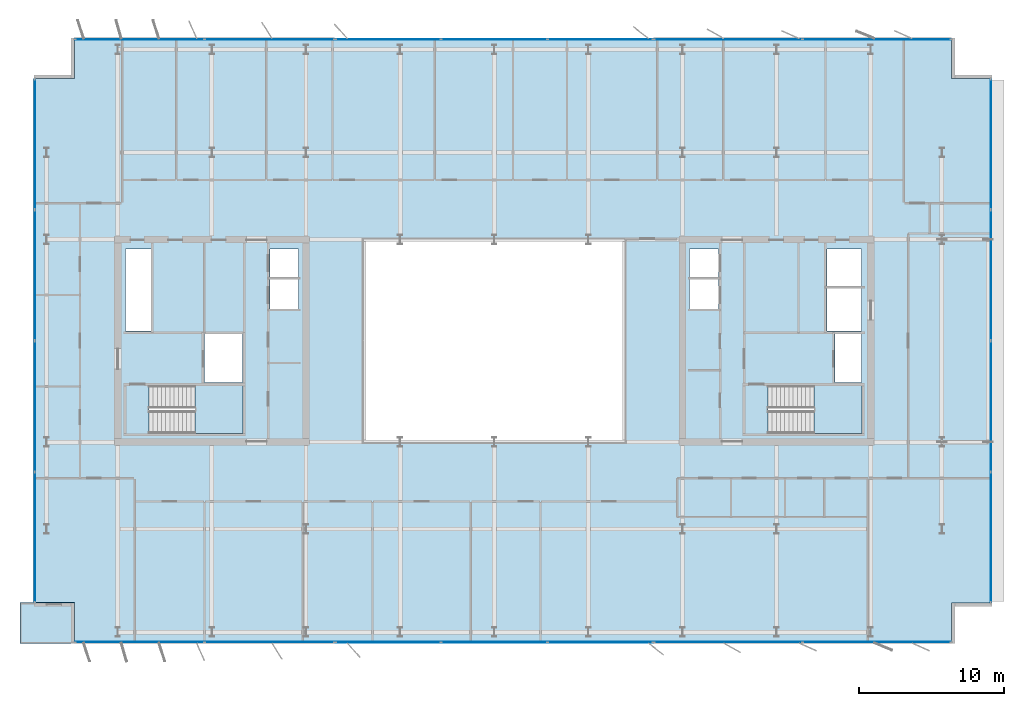
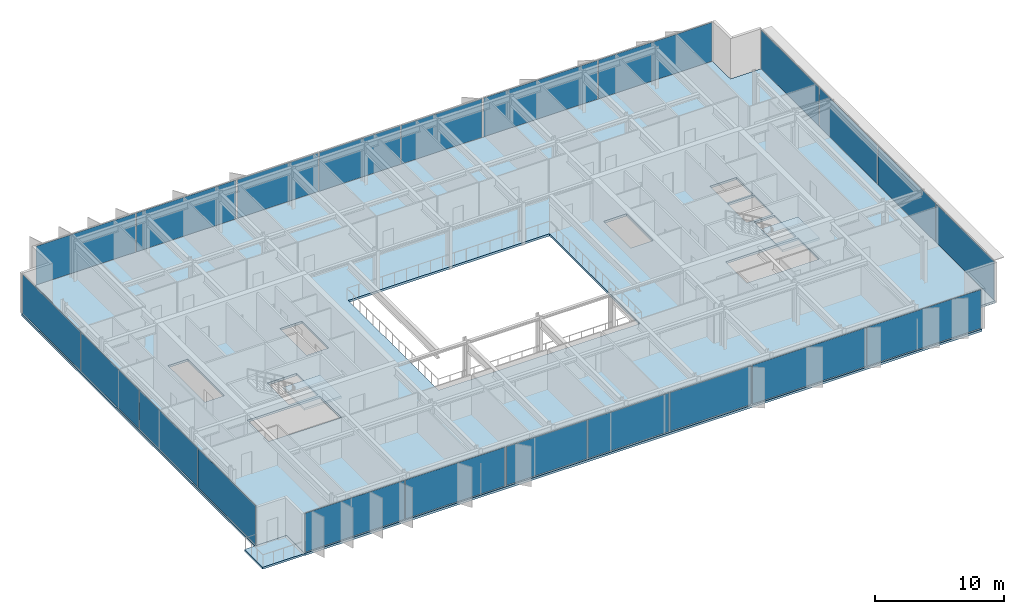
# One storey, part 11 of 20: 22 plates, 4 slabs, 10 elements without a shape of their own.
"""IFC4 building model written with IfcOpenShell, lengths in metres."""

from ifc_helpers import new_model, si_unit, direction, frame, origin, origin_2d, place, context, subcontext, project, spatial, polyline, rectangle, outline, extrude, material, layer, layer_set, type_object, element, aggregate, save


model = new_model("IFC4")

# Units and contexts
model_context = context("Model", 3, precision=1e-05, world=origin(), true_north=direction((0.0, 1.0)))
body_context = subcontext(model_context, "Body", "Model", "MODEL_VIEW")
ifc_project = project(units=[si_unit("LENGTHUNIT", "METRE"), si_unit("AREAUNIT", "SQUARE_METRE"), si_unit("VOLUMEUNIT", "CUBIC_METRE"), si_unit("PLANEANGLEUNIT", "RADIAN"), si_unit("MASSUNIT", "GRAM", prefix="KILO")], contexts=[model_context])

# Site, building, storey
site_placement = place(None, origin())
site = spatial("IfcSite", under=ifc_project, at=site_placement, CompositionType="ELEMENT")
building_placement = place(site_placement, origin())
building = spatial("IfcBuilding", under=site, at=building_placement, Name="Putna Gate Headquarters", CompositionType="ELEMENT")
storey_placement = place(building_placement, frame((0.0, 0.0, 290.39990234375)))
storey = spatial("IfcBuildingStorey", under=building, at=storey_placement, Name="L73", CompositionType="ELEMENT", Elevation=290.39990234375)

# Stair, slab
ifc_material_1 = material(Name="Concrete C40/50", Category="concrete")
stair_type_1 = type_object("IfcStairType", Name="STAIR-ST1", PredefinedType="HALF_TURN_STAIR", material=ifc_material_1)
stair_1_placement = place(storey_placement, origin())
stair_1 = element("IfcStair", 1, at=stair_1_placement, inside=storey, type_object=stair_type_1, Name="L73 West Core Exit Stair ST1", PredefinedType="HALF_TURN_STAIR")
ifc_layer_1 = layer(ifc_material_1, 0.199951171875)
ifc_layer_set_1 = layer_set([ifc_layer_1], Name="Concrete C40/50")
slab_type_1 = type_object("IfcSlabType", Name="LANDING-ST1", PredefinedType="LANDING", material=ifc_layer_set_1)
slab_1_placement = place(storey_placement, frame((0.0, 0.0, 1.800048828125)))
slab_1 = element("IfcSlab", 2, at=slab_1_placement, type_object=slab_type_1, Name="ST1 landing 1", PredefinedType="LANDING", context=body_context, shape_type="SweptSolid", body=[
    extrude(outline(polyline([(18.340087890625, 19.60009765625), (21.64990234375, 19.60009765625), (21.64990234375, 22.89990234375), (18.340087890625, 22.89990234375), (18.340087890625, 19.60009765625)])), origin(), (0.0, 0.0, 1.0), 0.199951171875),
])
aggregate(stair_1, [slab_1])

stair_type_2 = type_object("IfcStairType", Name="STAIR-ST2", PredefinedType="HALF_TURN_STAIR", material=ifc_material_1)
stair_2_placement = place(storey_placement, origin())
stair_2 = element("IfcStair", 3, at=stair_2_placement, inside=storey, type_object=stair_type_2, Name="L73 East Core Exit Stair ST2", PredefinedType="HALF_TURN_STAIR")
ifc_layer_2 = layer(ifc_material_1, 0.199951171875)
ifc_layer_set_2 = layer_set([ifc_layer_2], Name="Concrete C40/50")
slab_type_2 = type_object("IfcSlabType", Name="LANDING-ST2", PredefinedType="LANDING", material=ifc_layer_set_2)
slab_2_placement = place(storey_placement, frame((0.0, 0.0, 1.800048828125)))
slab_2 = element("IfcSlab", 4, at=slab_2_placement, type_object=slab_type_2, Name="ST2 landing 1", PredefinedType="LANDING", context=body_context, shape_type="SweptSolid", body=[
    extrude(outline(polyline([(61.090087890625, 19.60009765625), (64.39990234375, 19.60009765625), (64.39990234375, 22.89990234375), (61.090087890625, 22.89990234375), (61.090087890625, 19.60009765625)])), origin(), (0.0, 0.0, 1.0), 0.199951171875),
])
aggregate(stair_2, [slab_2])

# Curtain wall, plates
ifc_material_2 = material(Name="Anodised bronze aluminium curtain wall", Category="aluminium")
ifc_layer_3 = layer(ifc_material_2, 0.179931640625)
ifc_layer_set_3 = layer_set([ifc_layer_3], Name="Anodised bronze aluminium curtain wall")
curtain_wall_type_1 = type_object("IfcCurtainWallType", Name="CW-SYS-Z5", PredefinedType="USERDEFINED", material=ifc_layer_set_3)
curtain_wall_1_placement = place(storey_placement, origin())
curtain_wall_1 = element("IfcCurtainWall", 5, at=curtain_wall_1_placement, inside=storey, type_object=curtain_wall_type_1, Name="L73 South West Curtain Wall", ObjectType="STICK CURTAIN WALL", PredefinedType="USERDEFINED")
ifc_material_3 = material(Name="Solar-control triple low-E glass", Category="glass")
ifc_layer_4 = layer(ifc_material_3, 0.033935546875)
ifc_layer_set_4 = layer_set([ifc_layer_4], Name="Solar-control triple low-E glass")
plate_type_1 = type_object("IfcPlateType", Name="PAN-CWP-5", PredefinedType="CURTAIN_PANEL", material=ifc_layer_set_4)
plate_1_placement = place(storey_placement, frame((14.517578125, 5.179931640625, 0.06005859375), z_axis=(0.0, 0.0, 1.0), x_axis=(1.0, 0.0, 0.0)))
plate_1 = element("IfcPlate", 6, at=plate_1_placement, type_object=plate_type_1, Name="CWS-5 panel 1.1", PredefinedType="CURTAIN_PANEL", context=body_context, shape_type="SweptSolid", body=[
    extrude(rectangle(XDim=8.89501953125, YDim=0.033935546875, at=origin_2d()), origin(), (0.0, 0.0, 1.0), 3.66796875),
])
plate_2_placement = place(storey_placement, frame((23.482421875, 5.179931640625, 0.06005859375), z_axis=(0.0, 0.0, 1.0), x_axis=(1.0, 0.0, 0.0)))
plate_2 = element("IfcPlate", 7, at=plate_2_placement, type_object=plate_type_1, Name="CWS-5 panel 2.1", PredefinedType="CURTAIN_PANEL", context=body_context, shape_type="SweptSolid", body=[
    extrude(rectangle(XDim=8.89501953125, YDim=0.033935546875, at=origin_2d()), origin(), (0.0, 0.0, 1.0), 3.66796875),
])
aggregate(curtain_wall_1, [plate_1, plate_2])

curtain_wall_2_placement = place(storey_placement, origin())
curtain_wall_2 = element("IfcCurtainWall", 8, at=curtain_wall_2_placement, inside=storey, type_object=curtain_wall_type_1, Name="L73 South East Curtain Wall", ObjectType="STICK CURTAIN WALL", PredefinedType="USERDEFINED")
plate_3_placement = place(storey_placement, frame((55.164306640625, 5.179931640625, 0.06005859375), z_axis=(0.0, 0.0, 1.0), x_axis=(1.0, 0.0, 0.0)))
plate_3 = element("IfcPlate", 9, at=plate_3_placement, type_object=plate_type_1, Name="CWS-5 panel 1.1", PredefinedType="CURTAIN_PANEL", context=body_context, shape_type="SweptSolid", body=[
    extrude(rectangle(XDim=10.188720703125, YDim=0.033935546875, at=origin_2d()), origin(), (0.0, 0.0, 1.0), 3.66796875),
])
plate_4_placement = place(storey_placement, frame((65.423095703125, 5.179931640625, 0.06005859375), z_axis=(0.0, 0.0, 1.0), x_axis=(1.0, 0.0, 0.0)))
plate_4 = element("IfcPlate", 10, at=plate_4_placement, type_object=plate_type_1, Name="CWS-5 panel 2.1", PredefinedType="CURTAIN_PANEL", context=body_context, shape_type="SweptSolid", body=[
    extrude(rectangle(XDim=10.188720703125, YDim=0.033935546875, at=origin_2d()), origin(), (0.0, 0.0, 1.0), 3.66796875),
])
aggregate(curtain_wall_2, [plate_3, plate_4])

curtain_wall_3_placement = place(storey_placement, origin())
curtain_wall_3 = element("IfcCurtainWall", 11, at=curtain_wall_3_placement, inside=storey, type_object=curtain_wall_type_1, Name="L73 North West Curtain Wall", ObjectType="STICK CURTAIN WALL", PredefinedType="USERDEFINED")
plate_5_placement = place(storey_placement, frame((14.517578125, 46.820068359375, 0.06005859375), z_axis=(0.0, 0.0, 1.0), x_axis=(1.0, 0.0, 0.0)))
plate_5 = element("IfcPlate", 12, at=plate_5_placement, type_object=plate_type_1, Name="CWS-5 panel 1.1", PredefinedType="CURTAIN_PANEL", context=body_context, shape_type="SweptSolid", body=[
    extrude(rectangle(XDim=8.89501953125, YDim=0.033935546875, at=origin_2d()), origin(), (0.0, 0.0, 1.0), 3.66796875),
])
plate_6_placement = place(storey_placement, frame((23.482421875, 46.820068359375, 0.06005859375), z_axis=(0.0, 0.0, 1.0), x_axis=(1.0, 0.0, 0.0)))
plate_6 = element("IfcPlate", 13, at=plate_6_placement, type_object=plate_type_1, Name="CWS-5 panel 2.1", PredefinedType="CURTAIN_PANEL", context=body_context, shape_type="SweptSolid", body=[
    extrude(rectangle(XDim=8.89501953125, YDim=0.033935546875, at=origin_2d()), origin(), (0.0, 0.0, 1.0), 3.66796875),
])
aggregate(curtain_wall_3, [plate_5, plate_6])

curtain_wall_4_placement = place(storey_placement, origin())
curtain_wall_4 = element("IfcCurtainWall", 14, at=curtain_wall_4_placement, inside=storey, type_object=curtain_wall_type_1, Name="L73 North East Curtain Wall", ObjectType="STICK CURTAIN WALL", PredefinedType="USERDEFINED")
plate_7_placement = place(storey_placement, frame((55.164306640625, 46.820068359375, 0.06005859375), z_axis=(0.0, 0.0, 1.0), x_axis=(1.0, 0.0, 0.0)))
plate_7 = element("IfcPlate", 15, at=plate_7_placement, type_object=plate_type_1, Name="CWS-5 panel 1.1", PredefinedType="CURTAIN_PANEL", context=body_context, shape_type="SweptSolid", body=[
    extrude(rectangle(XDim=10.188720703125, YDim=0.033935546875, at=origin_2d()), origin(), (0.0, 0.0, 1.0), 3.66796875),
])
plate_8_placement = place(storey_placement, frame((65.423095703125, 46.820068359375, 0.06005859375), z_axis=(0.0, 0.0, 1.0), x_axis=(1.0, 0.0, 0.0)))
plate_8 = element("IfcPlate", 16, at=plate_8_placement, type_object=plate_type_1, Name="CWS-5 panel 2.1", PredefinedType="CURTAIN_PANEL", context=body_context, shape_type="SweptSolid", body=[
    extrude(rectangle(XDim=10.188720703125, YDim=0.033935546875, at=origin_2d()), origin(), (0.0, 0.0, 1.0), 3.66796875),
])
aggregate(curtain_wall_4, [plate_7, plate_8])

curtain_wall_5_placement = place(storey_placement, origin())
curtain_wall_5 = element("IfcCurtainWall", 17, at=curtain_wall_5_placement, inside=storey, type_object=curtain_wall_type_1, Name="L73 West Curtain Wall", ObjectType="STICK CURTAIN WALL", PredefinedType="USERDEFINED")
plate_9_placement = place(storey_placement, frame((7.280029296875, 12.4423828125, 0.06005859375), z_axis=(0.0, 0.0, 1.0), x_axis=(0.0, 1.0, 0.0)))
plate_9 = element("IfcPlate", 18, at=plate_9_placement, type_object=plate_type_1, Name="CWS-5 panel 1.1", PredefinedType="CURTAIN_PANEL", context=body_context, shape_type="SweptSolid", body=[
    extrude(rectangle(XDim=8.945068359375, YDim=0.033935546875, at=origin_2d()), origin(), (0.0, 0.0, 1.0), 3.66796875),
])
plate_10_placement = place(storey_placement, frame((7.280029296875, 21.47509765625, 0.06005859375), z_axis=(0.0, 0.0, 1.0), x_axis=(0.0, 1.0, 0.0)))
plate_10 = element("IfcPlate", 19, at=plate_10_placement, type_object=plate_type_1, Name="CWS-5 panel 2.1", PredefinedType="CURTAIN_PANEL", context=body_context, shape_type="SweptSolid", body=[
    extrude(rectangle(XDim=8.97998046875, YDim=0.033935546875, at=origin_2d()), origin(), (0.0, 0.0, 1.0), 3.66796875),
])
plate_11_placement = place(storey_placement, frame((7.280029296875, 30.52490234375, 0.06005859375), z_axis=(0.0, 0.0, 1.0), x_axis=(0.0, 1.0, 0.0)))
plate_11 = element("IfcPlate", 20, at=plate_11_placement, type_object=plate_type_1, Name="CWS-5 panel 3.1", PredefinedType="CURTAIN_PANEL", context=body_context, shape_type="SweptSolid", body=[
    extrude(rectangle(XDim=8.97998046875, YDim=0.033935546875, at=origin_2d()), origin(), (0.0, 0.0, 1.0), 3.66796875),
])
plate_12_placement = place(storey_placement, frame((7.280029296875, 39.5576171875, 0.06005859375), z_axis=(0.0, 0.0, 1.0), x_axis=(0.0, 1.0, 0.0)))
plate_12 = element("IfcPlate", 21, at=plate_12_placement, type_object=plate_type_1, Name="CWS-5 panel 4.1", PredefinedType="CURTAIN_PANEL", context=body_context, shape_type="SweptSolid", body=[
    extrude(rectangle(XDim=8.945068359375, YDim=0.033935546875, at=origin_2d()), origin(), (0.0, 0.0, 1.0), 3.66796875),
])
aggregate(curtain_wall_5, [plate_9, plate_10, plate_11, plate_12])

curtain_wall_6_placement = place(storey_placement, origin())
curtain_wall_6 = element("IfcCurtainWall", 22, at=curtain_wall_6_placement, inside=storey, type_object=curtain_wall_type_1, Name="L73 East Curtain Wall", ObjectType="STICK CURTAIN WALL", PredefinedType="USERDEFINED")
plate_13_placement = place(storey_placement, frame((73.307373046875, 12.4423828125, 0.06005859375), z_axis=(0.0, 0.0, 1.0), x_axis=(0.0, 1.0, 0.0)))
plate_13 = element("IfcPlate", 23, at=plate_13_placement, type_object=plate_type_1, Name="CWS-5 panel 1.1", PredefinedType="CURTAIN_PANEL", context=body_context, shape_type="SweptSolid", body=[
    extrude(rectangle(XDim=8.945068359375, YDim=0.033935546875, at=origin_2d()), origin(), (0.0, 0.0, 1.0), 3.66796875),
])
plate_14_placement = place(storey_placement, frame((73.307373046875, 21.47509765625, 0.06005859375), z_axis=(0.0, 0.0, 1.0), x_axis=(0.0, 1.0, 0.0)))
plate_14 = element("IfcPlate", 24, at=plate_14_placement, type_object=plate_type_1, Name="CWS-5 panel 2.1", PredefinedType="CURTAIN_PANEL", context=body_context, shape_type="SweptSolid", body=[
    extrude(rectangle(XDim=8.97998046875, YDim=0.033935546875, at=origin_2d()), origin(), (0.0, 0.0, 1.0), 3.66796875),
])
plate_15_placement = place(storey_placement, frame((73.307373046875, 30.52490234375, 0.06005859375), z_axis=(0.0, 0.0, 1.0), x_axis=(0.0, 1.0, 0.0)))
plate_15 = element("IfcPlate", 25, at=plate_15_placement, type_object=plate_type_1, Name="CWS-5 panel 3.1", PredefinedType="CURTAIN_PANEL", context=body_context, shape_type="SweptSolid", body=[
    extrude(rectangle(XDim=8.97998046875, YDim=0.033935546875, at=origin_2d()), origin(), (0.0, 0.0, 1.0), 3.66796875),
])
plate_16_placement = place(storey_placement, frame((73.307373046875, 39.5576171875, 0.06005859375), z_axis=(0.0, 0.0, 1.0), x_axis=(0.0, 1.0, 0.0)))
plate_16 = element("IfcPlate", 26, at=plate_16_placement, type_object=plate_type_1, Name="CWS-5 panel 4.1", PredefinedType="CURTAIN_PANEL", context=body_context, shape_type="SweptSolid", body=[
    extrude(rectangle(XDim=8.945068359375, YDim=0.033935546875, at=origin_2d()), origin(), (0.0, 0.0, 1.0), 3.66796875),
])
aggregate(curtain_wall_6, [plate_13, plate_14, plate_15, plate_16])

ifc_layer_5 = layer(ifc_material_2, 0.179931640625)
ifc_layer_set_5 = layer_set([ifc_layer_5], Name="Anodised bronze aluminium curtain wall")
curtain_wall_type_2 = type_object("IfcCurtainWallType", Name="CW-SYS-ATR", PredefinedType="USERDEFINED", material=ifc_layer_set_5)
curtain_wall_7_placement = place(storey_placement, origin())
curtain_wall_7 = element("IfcCurtainWall", 27, at=curtain_wall_7_placement, inside=storey, type_object=curtain_wall_type_2, Name="L73 South Atrium Clear Glazing", ObjectType="ATRIUM GLAZING", PredefinedType="USERDEFINED")
ifc_material_4 = material(Name="Clear low-iron triple glazing", Category="glass")
ifc_layer_6 = layer(ifc_material_4, 0.0400390625)
ifc_layer_set_6 = layer_set([ifc_layer_6], Name="Clear low-iron triple glazing")
plate_type_2 = type_object("IfcPlateType", Name="PAN-CWP-AT", PredefinedType="CURTAIN_PANEL", material=ifc_layer_set_6)
plate_17_placement = place(storey_placement, frame((31.68408203125, 5.179931640625, 0.070068359375), z_axis=(0.0, 0.0, 1.0), x_axis=(1.0, 0.0, 0.0)))
plate_17 = element("IfcPlate", 28, at=plate_17_placement, type_object=plate_type_2, Name="CWS-AT panel 1.1", PredefinedType="CURTAIN_PANEL", context=body_context, shape_type="SweptSolid", body=[
    extrude(rectangle(XDim=7.228271484375, YDim=0.0400390625, at=origin_2d()), origin(), (0.0, 0.0, 1.0), 3.64794921875),
])
plate_18_placement = place(storey_placement, frame((39.0, 5.179931640625, 0.070068359375), z_axis=(0.0, 0.0, 1.0), x_axis=(1.0, 0.0, 0.0)))
plate_18 = element("IfcPlate", 29, at=plate_18_placement, type_object=plate_type_2, Name="CWS-AT panel 2.1", PredefinedType="CURTAIN_PANEL", context=body_context, shape_type="SweptSolid", body=[
    extrude(rectangle(XDim=7.263427734375, YDim=0.0400390625, at=origin_2d()), origin(), (0.0, 0.0, 1.0), 3.64794921875),
])
plate_19_placement = place(storey_placement, frame((46.31591796875, 5.179931640625, 0.070068359375), z_axis=(0.0, 0.0, 1.0), x_axis=(1.0, 0.0, 0.0)))
plate_19 = element("IfcPlate", 30, at=plate_19_placement, type_object=plate_type_2, Name="CWS-AT panel 3.1", PredefinedType="CURTAIN_PANEL", context=body_context, shape_type="SweptSolid", body=[
    extrude(rectangle(XDim=7.228271484375, YDim=0.0400390625, at=origin_2d()), origin(), (0.0, 0.0, 1.0), 3.64794921875),
])
aggregate(curtain_wall_7, [plate_17, plate_18, plate_19])

curtain_wall_8_placement = place(storey_placement, origin())
curtain_wall_8 = element("IfcCurtainWall", 31, at=curtain_wall_8_placement, inside=storey, type_object=curtain_wall_type_2, Name="L73 North Atrium Clear Glazing", ObjectType="ATRIUM GLAZING", PredefinedType="USERDEFINED")
plate_20_placement = place(storey_placement, frame((31.68408203125, 46.820068359375, 0.070068359375), z_axis=(0.0, 0.0, 1.0), x_axis=(1.0, 0.0, 0.0)))
plate_20 = element("IfcPlate", 32, at=plate_20_placement, type_object=plate_type_2, Name="CWS-AT panel 1.1", PredefinedType="CURTAIN_PANEL", context=body_context, shape_type="SweptSolid", body=[
    extrude(rectangle(XDim=7.228271484375, YDim=0.0400390625, at=origin_2d()), origin(), (0.0, 0.0, 1.0), 3.64794921875),
])
plate_21_placement = place(storey_placement, frame((39.0, 46.820068359375, 0.070068359375), z_axis=(0.0, 0.0, 1.0), x_axis=(1.0, 0.0, 0.0)))
plate_21 = element("IfcPlate", 33, at=plate_21_placement, type_object=plate_type_2, Name="CWS-AT panel 2.1", PredefinedType="CURTAIN_PANEL", context=body_context, shape_type="SweptSolid", body=[
    extrude(rectangle(XDim=7.263427734375, YDim=0.0400390625, at=origin_2d()), origin(), (0.0, 0.0, 1.0), 3.64794921875),
])
plate_22_placement = place(storey_placement, frame((46.31591796875, 46.820068359375, 0.070068359375), z_axis=(0.0, 0.0, 1.0), x_axis=(1.0, 0.0, 0.0)))
plate_22 = element("IfcPlate", 34, at=plate_22_placement, type_object=plate_type_2, Name="CWS-AT panel 3.1", PredefinedType="CURTAIN_PANEL", context=body_context, shape_type="SweptSolid", body=[
    extrude(rectangle(XDim=7.228271484375, YDim=0.0400390625, at=origin_2d()), origin(), (0.0, 0.0, 1.0), 3.64794921875),
])
aggregate(curtain_wall_8, [plate_20, plate_21, plate_22])

# Slabs
ifc_layer_7 = layer(ifc_material_1, 0.179931640625)
ifc_layer_set_7 = layer_set([ifc_layer_7], Name="Concrete C40/50")
slab_type_3 = type_object("IfcSlabType", Name="SLAB-TERRACE-180", PredefinedType="FLOOR", material=ifc_layer_set_7)
slab_3_placement = place(storey_placement, frame((0.0, 0.0, -0.179931640625)))
element("IfcSlab", 35, at=slab_3_placement, inside=storey, type_object=slab_type_3, Name="L73 Spiral Sky-Garden Terrace Slab (SW)", PredefinedType="FLOOR", context=body_context, shape_type="SweptSolid", body=[
    extrude(outline(polyline([(6.25, 5.10009765625), (10.008056640625, 5.10009765625), (10.008056640625, 7.907958984375), (6.25, 7.907958984375), (6.25, 5.10009765625)])), origin(), (0.0, 0.0, 1.0), 0.179931640625),
])
ifc_layer_8 = layer(ifc_material_1, 0.2119140625)
ifc_layer_set_8 = layer_set([ifc_layer_8], Name="Concrete C40/50")
slab_type_4 = type_object("IfcSlabType", Name="SLAB-Z5-212", PredefinedType="FLOOR", material=ifc_layer_set_8)
slab_4_placement = place(storey_placement, frame((0.0, 0.0, -0.2119140625)))
element("IfcSlab", 36, at=slab_4_placement, inside=storey, type_object=slab_type_4, Name="L73 Composite Floor Slab", PredefinedType="FLOOR", context=body_context, shape_type="SweptSolid", body=[
    extrude(outline(polyline([(10.0, 5.10009765625), (70.58740234375, 5.10009765625), (70.58740234375, 7.89990234375), (73.38720703125, 7.89990234375), (73.38720703125, 44.10009765625), (70.58740234375, 44.10009765625), (70.58740234375, 46.89990234375), (10.0, 46.89990234375), (10.0, 44.10009765625), (7.199951171875, 44.10009765625), (7.199951171875, 7.89990234375), (10.0, 7.89990234375), (10.0, 5.10009765625)]), holes=[polyline([(15.1650390625, 19.60009765625), (21.64990234375, 19.60009765625), (21.64990234375, 22.89990234375), (15.1650390625, 22.89990234375), (15.1650390625, 19.60009765625)]), polyline([(57.9150390625, 19.60009765625), (64.39990234375, 19.60009765625), (64.39990234375, 22.89990234375), (57.9150390625, 22.89990234375), (57.9150390625, 19.60009765625)]), polyline([(13.52001953125, 26.659912109375), (15.280029296875, 26.659912109375), (15.280029296875, 32.35009765625), (13.52001953125, 32.35009765625), (13.52001953125, 26.659912109375)]), polyline([(61.969970703125, 29.780029296875), (64.35009765625, 29.780029296875), (64.35009765625, 32.35009765625), (61.969970703125, 32.35009765625), (61.969970703125, 29.780029296875)]), polyline([(18.97998046875, 23.1201171875), (21.6201171875, 23.1201171875), (21.6201171875, 26.4599609375), (18.97998046875, 26.4599609375), (18.97998046875, 23.1201171875)]), polyline([(62.52001953125, 23.1201171875), (64.35009765625, 23.1201171875), (64.35009765625, 26.4599609375), (62.52001953125, 26.4599609375), (62.52001953125, 23.1201171875)]), polyline([(61.969970703125, 26.659912109375), (64.35009765625, 26.659912109375), (64.35009765625, 29.6201171875), (61.969970703125, 29.6201171875), (61.969970703125, 26.659912109375)]), polyline([(23.5, 28.199951171875), (25.5, 28.199951171875), (25.5, 32.35009765625), (23.5, 32.35009765625), (23.5, 28.199951171875)]), polyline([(52.47998046875, 28.199951171875), (54.5, 28.199951171875), (54.5, 32.35009765625), (52.47998046875, 32.35009765625), (52.47998046875, 28.199951171875)]), polyline([(30.0, 19.0), (48.0, 19.0), (48.0, 33.0), (30.0, 33.0), (30.0, 19.0)])]), origin(), (0.0, 0.0, 1.0), 0.2119140625),
])

save(model, "model.ifc")
